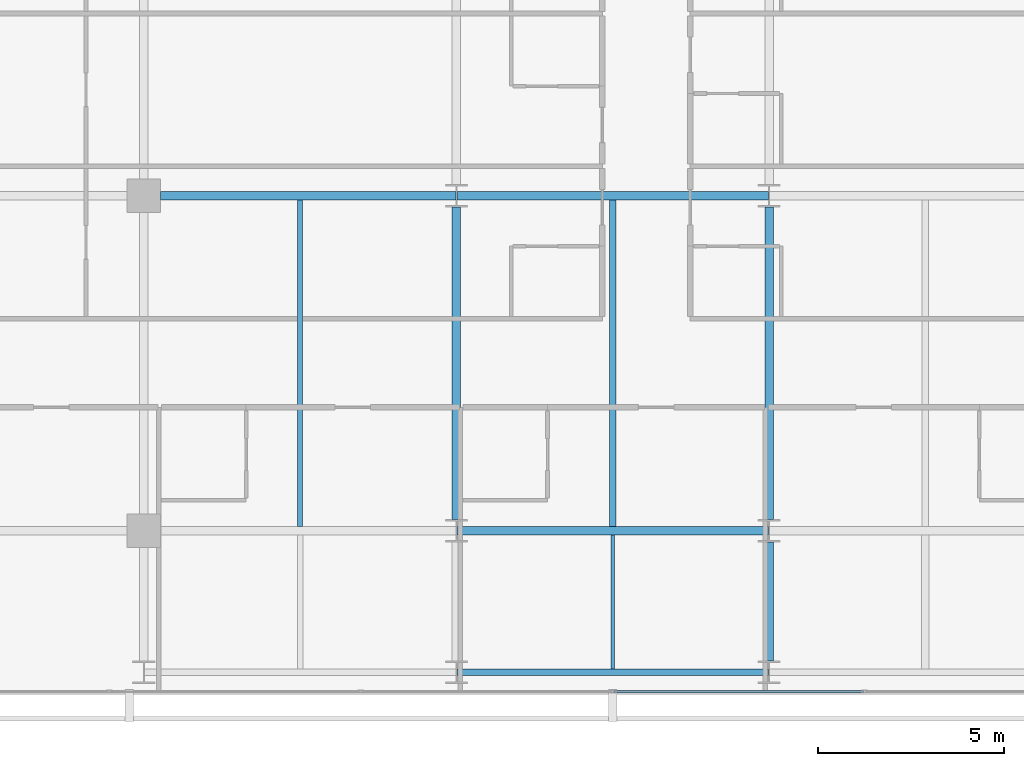
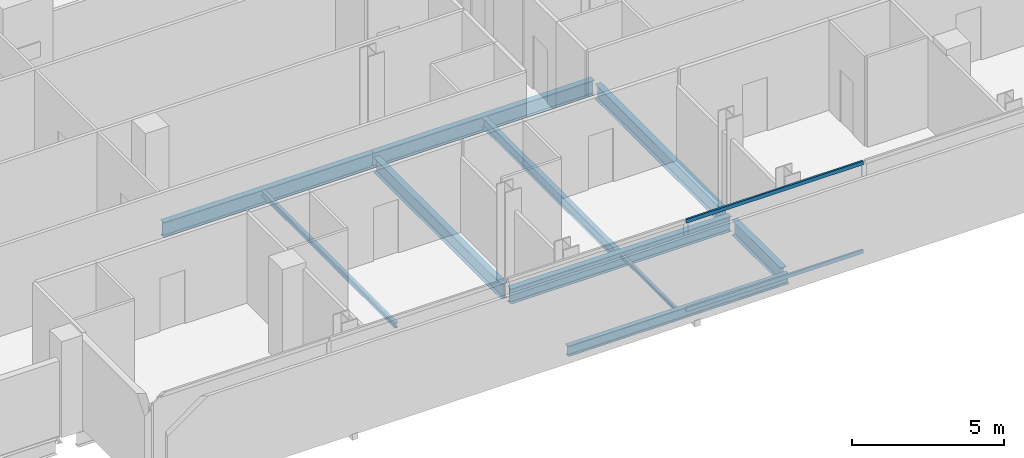
# One storey, part 7 of 34: 10 beams, 2 members, 1 element without a shape of its own.
"""IFC4 building model written with IfcOpenShell, lengths in metres."""

from ifc_helpers import new_model, si_unit, direction, frame, origin, origin_2d, place, context, subcontext, project, spatial, hollow_rectangle, i_section, extrude, material, layer, layer_set, material_profile, profile_set, type_object, element, aggregate, save


model = new_model("IFC4")

# Units and contexts
model_context = context("Model", 3, precision=1e-05, world=origin(), true_north=direction((0.0, 1.0)))
body_context = subcontext(model_context, "Body", "Model", "MODEL_VIEW")
ifc_project = project(units=[si_unit("LENGTHUNIT", "METRE"), si_unit("AREAUNIT", "SQUARE_METRE"), si_unit("VOLUMEUNIT", "CUBIC_METRE"), si_unit("PLANEANGLEUNIT", "RADIAN"), si_unit("MASSUNIT", "GRAM", prefix="KILO")], contexts=[model_context])

# Site, building, storey
site_placement = place(None, origin())
site = spatial("IfcSite", under=ifc_project, at=site_placement, CompositionType="ELEMENT")
building_placement = place(site_placement, origin())
building = spatial("IfcBuilding", under=site, at=building_placement, Name="Maruvema Waterfront Hotel and Observation Tower", CompositionType="ELEMENT")
storey_placement = place(building_placement, frame((0.0, 0.0, 173.60009765625)))
storey = spatial("IfcBuildingStorey", under=building, at=storey_placement, Name="L42", CompositionType="ELEMENT", Elevation=173.60009765625)

# Curtain wall, members
ifc_material_1 = material(Name="Anodised bronze aluminium and solar-control low-E IGU", Category="aluminium")
ifc_layer = layer(ifc_material_1, 0.159912109375, Name="Zone 2 Amber Inner Thermal Curtain Wall System CW-03")
ifc_layer_set = layer_set([ifc_layer], Name="Anodised bronze aluminium and solar-control low-E IGU")
curtain_wall_type = type_object("IfcCurtainWallType", Name="Zone 2 Amber Inner Thermal Curtain Wall System CW-03", PredefinedType="USERDEFINED", material=ifc_layer_set)
curtain_wall_placement = place(storey_placement, origin())
curtain_wall = element("IfcCurtainWall", 1, at=curtain_wall_placement, inside=storey, type_object=curtain_wall_type, Name="L42 Curtain Wall CW-L42-S", ObjectType="UNITISED CURTAIN WALL", PredefinedType="USERDEFINED")
ifc_material_2 = material(Name="Anodised architectural bronze aluminium", Category="aluminium")
ifc_material_profile_1 = material_profile(ifc_material_2, hollow_rectangle(XDim=0.070068359375, YDim=0.14990234375, WallThickness=0.00390625, at=origin_2d()), Name="ALU-T70x150")
ifc_profile_set_1 = profile_set([ifc_material_profile_1], Name="Anodised architectural bronze aluminium")
member_type = type_object("IfcMemberType", Name="Curtain Wall Horizontal Transom ALU-T70x150", PredefinedType="USERDEFINED", material=ifc_profile_set_1)
member_1_placement = place(storey_placement, frame((37.830078125, 4.679931640625, 0.02978515625), z_axis=(1.0, 0.0, 0.0), x_axis=(0.0, 1.0, 0.0)))
member_1 = element("IfcMember", 2, at=member_1_placement, type_object=member_type, Name="CW-03 transom 4.1", ObjectType="TRANSOM", PredefinedType="USERDEFINED", context=body_context, shape_type="SweptSolid", body=[
    extrude(hollow_rectangle(XDim=0.070068359375, YDim=0.14990234375, WallThickness=0.00390625, at=origin_2d()), origin(), (0.0, 0.0, 1.0), 6.70654296875),
])
member_2_placement = place(storey_placement, frame((37.830078125, 4.679931640625, 3.579833984375), z_axis=(1.0, 0.0, 0.0), x_axis=(0.0, 1.0, 0.0)))
member_2 = element("IfcMember", 3, at=member_2_placement, type_object=member_type, Name="CW-03 transom 4.2", ObjectType="TRANSOM", PredefinedType="USERDEFINED", context=body_context, shape_type="SweptSolid", body=[
    extrude(hollow_rectangle(XDim=0.070068359375, YDim=0.14990234375, WallThickness=0.00390625, at=origin_2d()), origin(), (0.0, 0.0, 1.0), 6.70654296875),
])
aggregate(curtain_wall, [member_1, member_2])

# Beams
ifc_material_3 = material(Name="Steel ASTM A572 Grade 50", Category="steel")
ifc_material_profile_2 = material_profile(ifc_material_3, i_section(OverallWidth=0.180908203125, OverallDepth=0.4169921875, WebThickness=0.010986328125, FlangeThickness=0.018310546875, FilletRadius=0.014892578125, at=origin_2d()), Name="W410x85.0")
ifc_profile_set_2 = profile_set([ifc_material_profile_2], Name="Steel ASTM A572 Grade 50")
beam_type_1 = type_object("IfcBeamType", Name="Perimeter Spandrel Beam W410x85.0", PredefinedType="SPANDREL", material=ifc_profile_set_2)
beam_1_placement = place(storey_placement, frame((33.612548828125, 5.199951171875, -0.448486328125), z_axis=(1.0, 0.0, 0.0), x_axis=(0.0, 1.0, 0.0)))
element("IfcBeam", 4, at=beam_1_placement, inside=storey, type_object=beam_type_1, Name="L42 Floor Girder EW-02", PredefinedType="SPANDREL", context=body_context, shape_type="SweptSolid", body=[
    extrude(i_section(OverallWidth=0.180908203125, OverallDepth=0.4169921875, WebThickness=0.010986328125, FlangeThickness=0.018310546875, FilletRadius=0.014892578125, at=origin_2d()), origin(), (0.0, 0.0, 1.0), 8.375),
])
ifc_material_4 = material(Name="Steel ASTM A572 Grade 50", Category="steel")
ifc_material_profile_3 = material_profile(ifc_material_4, i_section(OverallWidth=0.22802734375, OverallDepth=0.60302734375, WebThickness=0.010498046875, FlangeThickness=0.014892578125, FilletRadius=0.01806640625, at=origin_2d()), Name="W610x101.0")
ifc_profile_set_3 = profile_set([ifc_material_profile_3], Name="Steel ASTM A572 Grade 50")
beam_type_2 = type_object("IfcBeamType", Name="Primary Floor Girder W610x101.0", PredefinedType="BEAM", material=ifc_profile_set_3)
beam_2_placement = place(storey_placement, frame((33.612548828125, 9.0, -0.54150390625), z_axis=(1.0, 0.0, 0.0), x_axis=(0.0, 1.0, 0.0)))
element("IfcBeam", 5, at=beam_2_placement, inside=storey, type_object=beam_type_2, Name="L42 Floor Girder EW-07", PredefinedType="BEAM", context=body_context, shape_type="SweptSolid", body=[
    extrude(i_section(OverallWidth=0.22802734375, OverallDepth=0.60302734375, WebThickness=0.010498046875, FlangeThickness=0.014892578125, FilletRadius=0.01806640625, at=origin_2d()), origin(), (0.0, 0.0, 1.0), 8.375),
])
beam_3_placement = place(storey_placement, frame((25.64990234375, 18.0, -0.54150390625), z_axis=(1.0, 0.0, 0.0), x_axis=(0.0, 1.0, 0.0)))
element("IfcBeam", 6, at=beam_3_placement, inside=storey, type_object=beam_type_2, Name="L42 Floor Girder EW-13", PredefinedType="BEAM", context=body_context, shape_type="SweptSolid", body=[
    extrude(i_section(OverallWidth=0.22802734375, OverallDepth=0.60302734375, WebThickness=0.010498046875, FlangeThickness=0.014892578125, FilletRadius=0.01806640625, at=origin_2d()), origin(), (0.0, 0.0, 1.0), 7.9375),
])
beam_4_placement = place(storey_placement, frame((33.612548828125, 18.0, -0.54150390625), z_axis=(1.0, 0.0, 0.0), x_axis=(0.0, 1.0, 0.0)))
element("IfcBeam", 7, at=beam_4_placement, inside=storey, type_object=beam_type_2, Name="L42 Floor Girder EW-14", PredefinedType="BEAM", context=body_context, shape_type="SweptSolid", body=[
    extrude(i_section(OverallWidth=0.22802734375, OverallDepth=0.60302734375, WebThickness=0.010498046875, FlangeThickness=0.014892578125, FilletRadius=0.01806640625, at=origin_2d()), origin(), (0.0, 0.0, 1.0), 8.375),
])
beam_5_placement = place(storey_placement, frame((33.60009765625, 9.300048828125, -0.54150390625), z_axis=(0.0, 1.0, 0.0), x_axis=(-1.0, 0.0, 0.0)))
element("IfcBeam", 8, at=beam_5_placement, inside=storey, type_object=beam_type_2, Name="L42 Floor Girder NS-15", PredefinedType="BEAM", context=body_context, shape_type="SweptSolid", body=[
    extrude(i_section(OverallWidth=0.22802734375, OverallDepth=0.60302734375, WebThickness=0.010498046875, FlangeThickness=0.014892578125, FilletRadius=0.01806640625, at=origin_2d()), origin(), (0.0, 0.0, 1.0), 8.39990234375),
])
beam_6_placement = place(storey_placement, frame((42.0, 5.5, -0.54150390625), z_axis=(0.0, 1.0, 0.0), x_axis=(-1.0, 0.0, 0.0)))
element("IfcBeam", 9, at=beam_6_placement, inside=storey, type_object=beam_type_2, Name="L42 Floor Girder NS-17", PredefinedType="BEAM", context=body_context, shape_type="SweptSolid", body=[
    extrude(i_section(OverallWidth=0.22802734375, OverallDepth=0.60302734375, WebThickness=0.010498046875, FlangeThickness=0.014892578125, FilletRadius=0.01806640625, at=origin_2d()), origin(), (0.0, 0.0, 1.0), 3.199951171875),
])
beam_7_placement = place(storey_placement, frame((42.0, 9.300048828125, -0.54150390625), z_axis=(0.0, 1.0, 0.0), x_axis=(-1.0, 0.0, 0.0)))
element("IfcBeam", 10, at=beam_7_placement, inside=storey, type_object=beam_type_2, Name="L42 Floor Girder NS-18", PredefinedType="BEAM", context=body_context, shape_type="SweptSolid", body=[
    extrude(i_section(OverallWidth=0.22802734375, OverallDepth=0.60302734375, WebThickness=0.010498046875, FlangeThickness=0.014892578125, FilletRadius=0.01806640625, at=origin_2d()), origin(), (0.0, 0.0, 1.0), 8.39990234375),
])
ifc_material_5 = material(Name="Steel ASTM A572 Grade 50", Category="steel")
ifc_material_profile_4 = material_profile(ifc_material_5, i_section(OverallWidth=0.10009765625, OverallDepth=0.153076171875, WebThickness=0.005859375, FlangeThickness=0.007080078125, FilletRadius=0.008056640625, at=origin_2d()), Name="W150x18.0")
ifc_profile_set_4 = profile_set([ifc_material_profile_4], Name="Steel ASTM A572 Grade 50")
beam_type_3 = type_object("IfcBeamType", Name="Secondary Floor Joist W150x18.0", PredefinedType="JOIST", material=ifc_profile_set_4)
beam_8_placement = place(storey_placement, frame((37.800048828125, 5.29052734375, -0.316650390625), z_axis=(0.0, 1.0, 0.0), x_axis=(-1.0, 0.0, 0.0)))
element("IfcBeam", 11, at=beam_8_placement, inside=storey, type_object=beam_type_3, Name="L42 Secondary Floor Joist JS-07", PredefinedType="JOIST", context=body_context, shape_type="SweptSolid", body=[
    extrude(i_section(OverallWidth=0.10009765625, OverallDepth=0.153076171875, WebThickness=0.005859375, FlangeThickness=0.007080078125, FilletRadius=0.008056640625, at=origin_2d()), origin(), (0.0, 0.0, 1.0), 3.595458984375),
])
ifc_material_6 = material(Name="Steel ASTM A572 Grade 50", Category="steel")
ifc_material_profile_5 = material_profile(ifc_material_6, i_section(OverallWidth=0.133056640625, OverallDepth=0.20703125, WebThickness=0.005859375, FlangeThickness=0.00830078125, FilletRadius=0.010009765625, at=origin_2d()), Name="W200x26.6")
ifc_profile_set_5 = profile_set([ifc_material_profile_5], Name="Steel ASTM A572 Grade 50")
beam_type_4 = type_object("IfcBeamType", Name="Secondary Floor Joist W200x26.6", PredefinedType="JOIST", material=ifc_profile_set_5)
beam_9_placement = place(storey_placement, frame((29.39990234375, 9.114013671875, -0.343505859375), z_axis=(0.0, 1.0, 0.0), x_axis=(-1.0, 0.0, 0.0)))
element("IfcBeam", 12, at=beam_9_placement, inside=storey, type_object=beam_type_4, Name="L42 Secondary Floor Joist JS-06", PredefinedType="JOIST", context=body_context, shape_type="SweptSolid", body=[
    extrude(i_section(OverallWidth=0.133056640625, OverallDepth=0.20703125, WebThickness=0.005859375, FlangeThickness=0.00830078125, FilletRadius=0.010009765625, at=origin_2d()), origin(), (0.0, 0.0, 1.0), 8.77197265625),
])
ifc_material_7 = material(Name="Steel ASTM A572 Grade 50", Category="steel")
ifc_material_profile_6 = material_profile(ifc_material_7, i_section(OverallWidth=0.177001953125, OverallDepth=0.403076171875, WebThickness=0.007568359375, FlangeThickness=0.010986328125, FilletRadius=0.014892578125, at=origin_2d()), Name="W410x53.0")
ifc_profile_set_6 = profile_set([ifc_material_profile_6], Name="Steel ASTM A572 Grade 50")
beam_type_5 = type_object("IfcBeamType", Name="Secondary Floor Joist W410x53.0", PredefinedType="JOIST", material=ifc_profile_set_6)
beam_10_placement = place(storey_placement, frame((37.800048828125, 9.114013671875, -0.441650390625), z_axis=(0.0, 1.0, 0.0), x_axis=(-1.0, 0.0, 0.0)))
element("IfcBeam", 13, at=beam_10_placement, inside=storey, type_object=beam_type_5, Name="L42 Secondary Floor Joist JS-08", PredefinedType="JOIST", context=body_context, shape_type="SweptSolid", body=[
    extrude(i_section(OverallWidth=0.177001953125, OverallDepth=0.403076171875, WebThickness=0.007568359375, FlangeThickness=0.010986328125, FilletRadius=0.014892578125, at=origin_2d()), origin(), (0.0, 0.0, 1.0), 8.77197265625),
])

save(model, "model.ifc")
